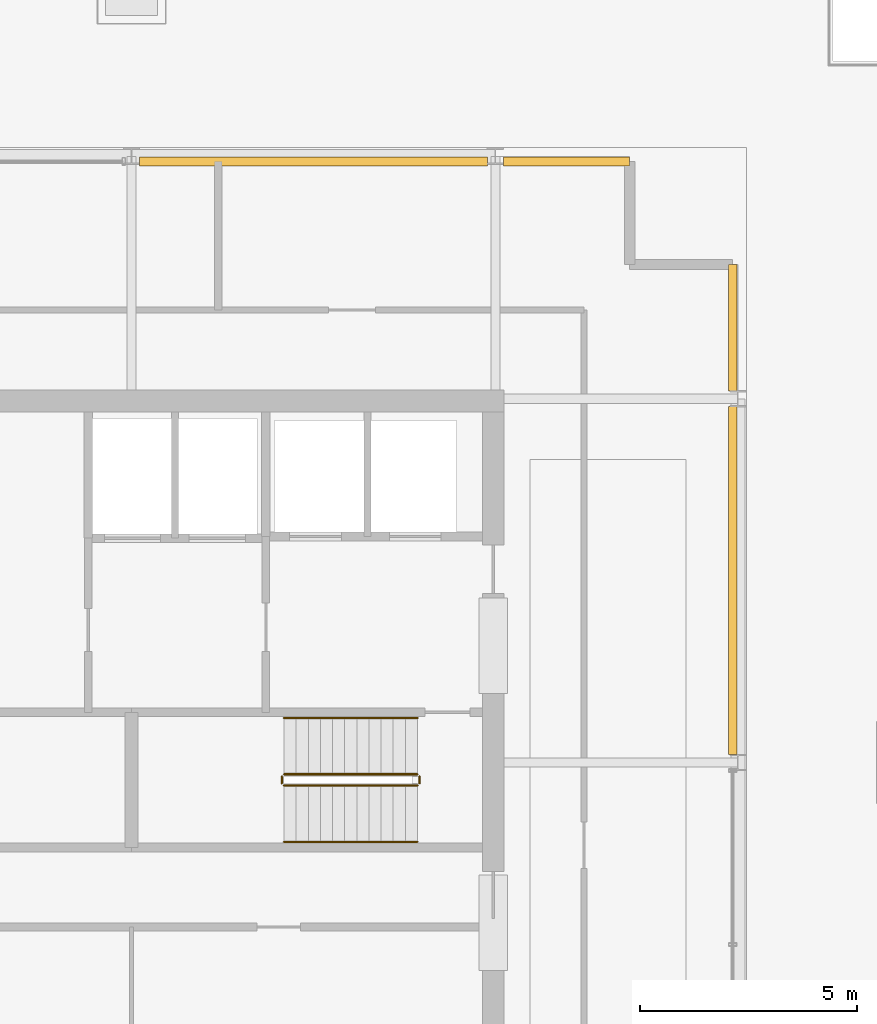
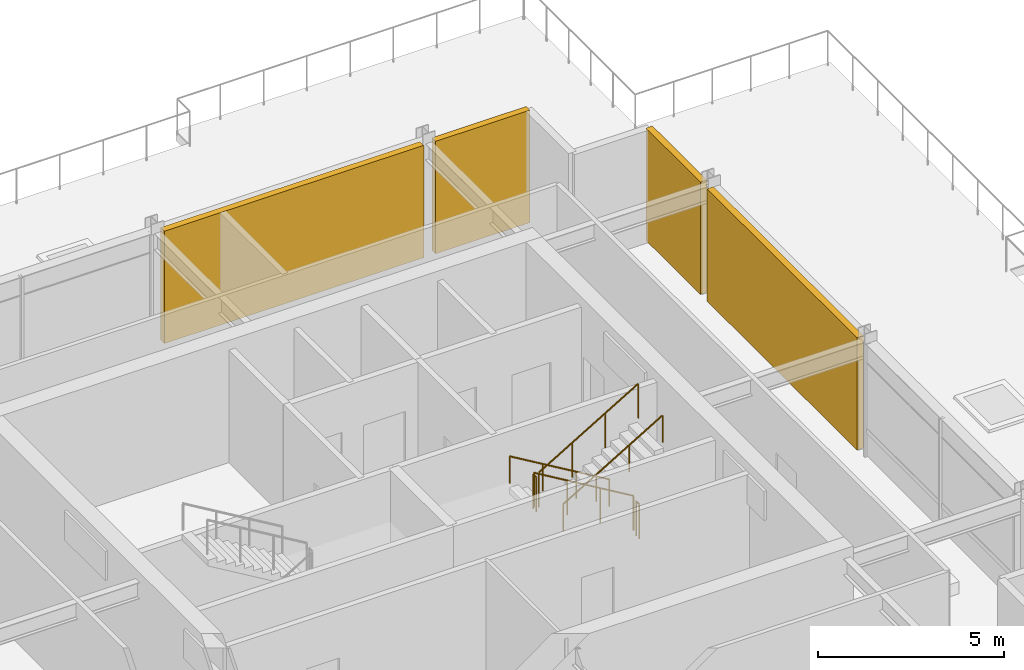
# One storey, part 17 of 17: 6 railings, 4 shading devices.
"""IFC4 building model written with IfcOpenShell, lengths in metres."""

from ifc_helpers import new_model, si_unit, direction, frame, origin, origin_2d, place, context, subcontext, project, spatial, rectangle, circle, extrude, material, layer, layer_set, type_object, element, save


model = new_model("IFC4")

# Units and contexts
model_context = context("Model", 3, precision=1e-05, world=origin(), true_north=direction((0.0, 1.0)))
body_context = subcontext(model_context, "Body", "Model", "MODEL_VIEW")
ifc_project = project(units=[si_unit("LENGTHUNIT", "METRE"), si_unit("AREAUNIT", "SQUARE_METRE"), si_unit("VOLUMEUNIT", "CUBIC_METRE"), si_unit("PLANEANGLEUNIT", "RADIAN"), si_unit("MASSUNIT", "GRAM", prefix="KILO")], contexts=[model_context])

# Site, building, storey
site_placement = place(None, origin())
site = spatial("IfcSite", under=ifc_project, at=site_placement, CompositionType="ELEMENT")
building_placement = place(site_placement, origin())
building = spatial("IfcBuilding", under=site, at=building_placement, Name="Drelvath Grand Hotel", CompositionType="ELEMENT")
storey_placement = place(building_placement, frame((0.0, 0.0, 311.39990234375)))
storey = spatial("IfcBuildingStorey", under=building, at=storey_placement, Name="L81", CompositionType="ELEMENT", Elevation=311.39990234375)

# Railings
ifc_material_1 = material(Name="Painted Steel S275", Category="steel")
railing_type_1 = type_object("IfcRailingType", Name="Core Stair Wall Handrail 900", PredefinedType="HANDRAIL", material=ifc_material_1)
railing_1_placement = place(storey_placement, frame((6.60009765625, 28.030029296875, 0.166748046875)))
element("IfcRailing", 1, at=railing_1_placement, inside=storey, type_object=railing_type_1, Name="L81 ST-2 stair handrail 1", PredefinedType="HANDRAIL", context=body_context, shape_type="SweptSolid", body=[
    extrude(circle(Radius=0.02392578125, at=origin_2d()), frame((0.0, 0.0, 0.8759765625), z_axis=(-0.859308565015, 0.0, 0.511457515432), x_axis=(0.0, -1.0, 0.0)), (0.0, 0.0, 1.0), 3.58447265625),
    extrude(circle(Radius=0.02099609375, at=origin_2d()), origin(), (0.0, 0.0, 1.0), 0.851806640625),
    extrude(circle(Radius=0.02099609375, at=origin_2d()), frame((-1.026611328125, 0.0, 0.611083984375)), (0.0, 0.0, 1.0), 0.851806640625),
    extrude(circle(Radius=0.02099609375, at=origin_2d()), frame((-2.053466796875, 0.0, 1.22216796875)), (0.0, 0.0, 1.0), 0.851806640625),
    extrude(circle(Radius=0.02099609375, at=origin_2d()), frame((-3.080078125, 0.0, 1.833251953125)), (0.0, 0.0, 1.0), 0.851806640625),
])
railing_2_placement = place(storey_placement, frame((3.52001953125, 25.169921875, 2.166748046875)))
element("IfcRailing", 2, at=railing_2_placement, inside=storey, type_object=railing_type_1, Name="L81 ST-2 stair handrail 2", PredefinedType="HANDRAIL", context=body_context, shape_type="SweptSolid", body=[
    extrude(circle(Radius=0.02392578125, at=origin_2d()), frame((0.0, 0.0, 0.8759765625), z_axis=(0.859308565015, 0.0, 0.511457515432), x_axis=(0.0, 1.0, 0.0)), (0.0, 0.0, 1.0), 3.58447265625),
    extrude(circle(Radius=0.02099609375, at=origin_2d()), origin(), (0.0, 0.0, 1.0), 0.851806640625),
    extrude(circle(Radius=0.02099609375, at=origin_2d()), frame((1.026611328125, 0.0, 0.611083984375)), (0.0, 0.0, 1.0), 0.851806640625),
    extrude(circle(Radius=0.02099609375, at=origin_2d()), frame((2.053466796875, 0.0, 1.22216796875)), (0.0, 0.0, 1.0), 0.851806640625),
    extrude(circle(Radius=0.02099609375, at=origin_2d()), frame((3.080078125, 0.0, 1.833251953125)), (0.0, 0.0, 1.0), 0.851806640625),
])
railing_type_2 = type_object("IfcRailingType", Name="Core Stair Well Guardrail 1100", PredefinedType="GUARDRAIL", material=ifc_material_1)
railing_3_placement = place(storey_placement, frame((6.60009765625, 26.72998046875, 0.166748046875)))
element("IfcRailing", 3, at=railing_3_placement, inside=storey, type_object=railing_type_2, Name="L81 ST-2 stair guard 1", PredefinedType="GUARDRAIL", context=body_context, shape_type="SweptSolid", body=[
    extrude(circle(Radius=0.02392578125, at=origin_2d()), frame((0.0, 0.0, 1.1259765625), z_axis=(-0.859308565015, 0.0, 0.511457515432), x_axis=(0.0, -1.0, 0.0)), (0.0, 0.0, 1.0), 3.58447265625),
    extrude(circle(Radius=0.02099609375, at=origin_2d()), origin(), (0.0, 0.0, 1.0), 1.101806640625),
    extrude(circle(Radius=0.02099609375, at=origin_2d()), frame((-1.026611328125, 0.0, 0.611083984375)), (0.0, 0.0, 1.0), 1.101806640625),
    extrude(circle(Radius=0.02099609375, at=origin_2d()), frame((-2.053466796875, 0.0, 1.22216796875)), (0.0, 0.0, 1.0), 1.101806640625),
    extrude(circle(Radius=0.02099609375, at=origin_2d()), frame((-3.080078125, 0.0, 1.833251953125)), (0.0, 0.0, 1.0), 1.101806640625),
])
railing_4_placement = place(storey_placement, frame((3.469970703125, 26.679931640625, 2.0)))
element("IfcRailing", 4, at=railing_4_placement, inside=storey, type_object=railing_type_2, Name="L81 ST-2 stair guard 2", PredefinedType="GUARDRAIL", context=body_context, shape_type="SweptSolid", body=[
    extrude(circle(Radius=0.02392578125, at=origin_2d()), frame((0.0, 0.0, 1.1259765625), z_axis=(0.0, -1.0, 0.0), x_axis=(1.0, 0.0, 0.0)), (0.0, 0.0, 1.0), 0.159912109375),
    extrude(circle(Radius=0.02099609375, at=origin_2d()), origin(), (0.0, 0.0, 1.0), 1.101806640625),
    extrude(circle(Radius=0.02099609375, at=origin_2d()), frame((0.0, -0.159912109375, 0.0)), (0.0, 0.0, 1.0), 1.101806640625),
])
railing_5_placement = place(storey_placement, frame((3.52001953125, 26.469970703125, 2.166748046875)))
element("IfcRailing", 5, at=railing_5_placement, inside=storey, type_object=railing_type_2, Name="L81 ST-2 stair guard 3", PredefinedType="GUARDRAIL", context=body_context, shape_type="SweptSolid", body=[
    extrude(circle(Radius=0.02392578125, at=origin_2d()), frame((0.0, 0.0, 1.1259765625), z_axis=(0.859308565015, 0.0, 0.511457515432), x_axis=(0.0, 1.0, 0.0)), (0.0, 0.0, 1.0), 3.58447265625),
    extrude(circle(Radius=0.02099609375, at=origin_2d()), origin(), (0.0, 0.0, 1.0), 1.101806640625),
    extrude(circle(Radius=0.02099609375, at=origin_2d()), frame((1.026611328125, 0.0, 0.611083984375)), (0.0, 0.0, 1.0), 1.101806640625),
    extrude(circle(Radius=0.02099609375, at=origin_2d()), frame((2.053466796875, 0.0, 1.22216796875)), (0.0, 0.0, 1.0), 1.101806640625),
    extrude(circle(Radius=0.02099609375, at=origin_2d()), frame((3.080078125, 0.0, 1.833251953125)), (0.0, 0.0, 1.0), 1.101806640625),
])
railing_6_placement = place(storey_placement, frame((6.64990234375, 26.679931640625, 0.0)))
element("IfcRailing", 6, at=railing_6_placement, inside=storey, type_object=railing_type_2, Name="L81 ST-2 stair guard 4", PredefinedType="GUARDRAIL", context=body_context, shape_type="SweptSolid", body=[
    extrude(circle(Radius=0.02392578125, at=origin_2d()), frame((0.0, 0.0, 1.1259765625), z_axis=(0.0, -1.0, 0.0), x_axis=(1.0, 0.0, 0.0)), (0.0, 0.0, 1.0), 0.159912109375),
    extrude(circle(Radius=0.02099609375, at=origin_2d()), origin(), (0.0, 0.0, 1.0), 1.101806640625),
    extrude(circle(Radius=0.02099609375, at=origin_2d()), frame((0.0, -0.159912109375, 0.0)), (0.0, 0.0, 1.0), 1.101806640625),
])

# Shading devices
ifc_material_2 = material(Name="Platinum-Mist Anodised Aluminium Louvre", Category="aluminium")
ifc_layer = layer(ifc_material_2, 0.199951171875)
ifc_layer_set = layer_set([ifc_layer], Name="Platinum-Mist Anodised Aluminium Louvre")
shading_device_type = type_object("IfcShadingDeviceType", Name="Crown Drum Screened Acoustic Louvre 200", PredefinedType="USERDEFINED", material=ifc_layer_set)
shading_device_1_placement = place(storey_placement, frame((13.8798828125, 31.199951171875, 0.0), z_axis=(0.0, 0.0, 1.0), x_axis=(0.0, 1.0, 0.0)))
element("IfcShadingDevice", 7, at=shading_device_1_placement, inside=storey, type_object=shading_device_type, Name="L81 Crown Drum Acoustic Louvre E-3", ObjectType="LOUVRE", PredefinedType="USERDEFINED", context=body_context, shape_type="SweptSolid", body=[
    extrude(rectangle(XDim=8.03564453125, YDim=0.199951171875, at=origin_2d()), origin(), (0.0, 0.0, 1.0), 3.679931640625),
])
shading_device_2_placement = place(storey_placement, frame((13.8798828125, 37.041015625, 0.0), z_axis=(0.0, 0.0, 1.0), x_axis=(0.0, 1.0, 0.0)))
element("IfcShadingDevice", 8, at=shading_device_2_placement, inside=storey, type_object=shading_device_type, Name="L81 Crown Drum Acoustic Louvre E-4", ObjectType="LOUVRE", PredefinedType="USERDEFINED", context=body_context, shape_type="SweptSolid", body=[
    extrude(rectangle(XDim=2.917724609375, YDim=0.199951171875, at=origin_2d()), origin(), (0.0, 0.0, 1.0), 3.679931640625),
])
shading_device_3_placement = place(storey_placement, frame((4.199951171875, 40.8798828125, 0.0), z_axis=(0.0, 0.0, 1.0), x_axis=(1.0, 0.0, 0.0)))
element("IfcShadingDevice", 9, at=shading_device_3_placement, inside=storey, type_object=shading_device_type, Name="L81 Crown Drum Acoustic Louvre N-3", ObjectType="LOUVRE", PredefinedType="USERDEFINED", context=body_context, shape_type="SweptSolid", body=[
    extrude(rectangle(XDim=8.033935546875, YDim=0.199951171875, at=origin_2d()), origin(), (0.0, 0.0, 1.0), 3.679931640625),
])
shading_device_4_placement = place(storey_placement, frame((10.04150390625, 40.8798828125, 0.0), z_axis=(0.0, 0.0, 1.0), x_axis=(1.0, 0.0, 0.0)))
element("IfcShadingDevice", 10, at=shading_device_4_placement, inside=storey, type_object=shading_device_type, Name="L81 Crown Drum Acoustic Louvre N-4", ObjectType="LOUVRE", PredefinedType="USERDEFINED", context=body_context, shape_type="SweptSolid", body=[
    extrude(rectangle(XDim=2.9169921875, YDim=0.199951171875, at=origin_2d()), origin(), (0.0, 0.0, 1.0), 3.679931640625),
])

save(model, "model.ifc")
